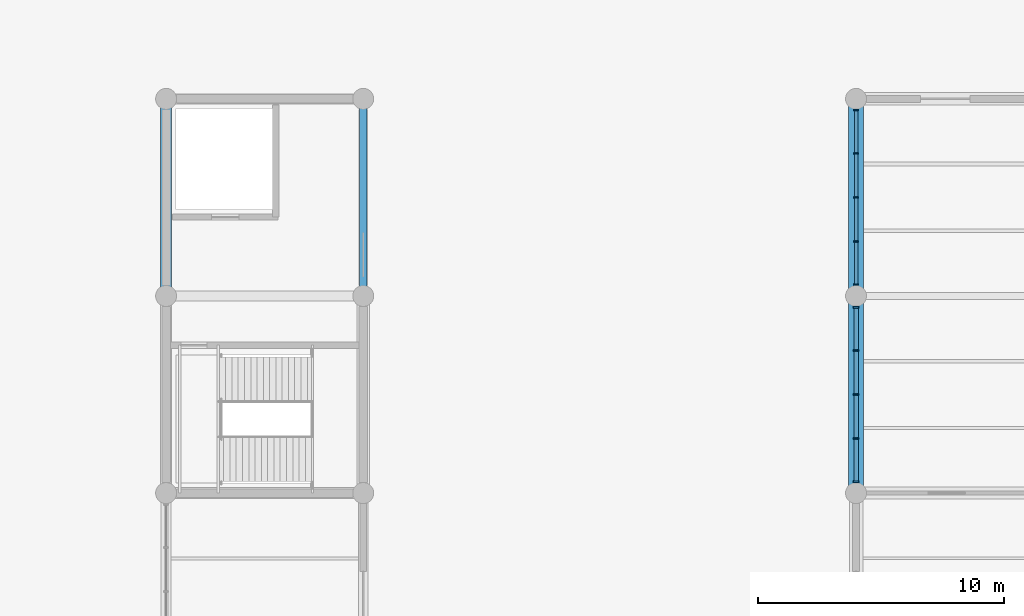
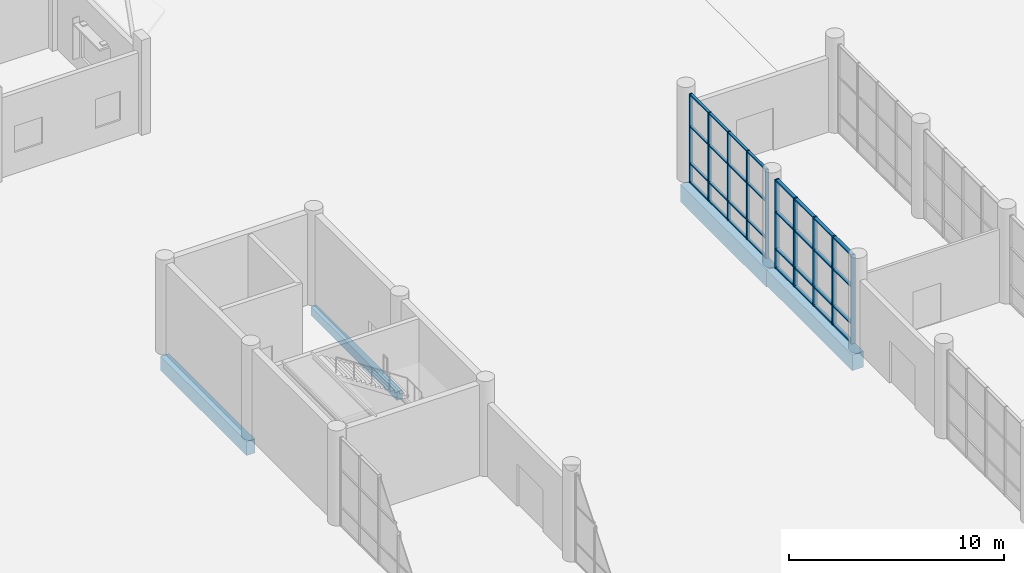
# One storey, part 30 of 123: 42 members, 4 beams, 2 elements without a shape of their own.
"""IFC4 building model written with IfcOpenShell, lengths in metres."""

from ifc_helpers import new_model, si_unit, direction, frame, origin, origin_2d, place, context, subcontext, project, spatial, rectangle, extrude, material, material_profile, profile_set, type_object, element, aggregate, save


model = new_model("IFC4")

# Units and contexts
model_context = context("Model", 3, precision=1e-05, world=origin(), true_north=direction((0.0, 1.0)))
body_context = subcontext(model_context, "Body", "Model", "MODEL_VIEW")
ifc_project = project(units=[si_unit("LENGTHUNIT", "METRE"), si_unit("AREAUNIT", "SQUARE_METRE"), si_unit("VOLUMEUNIT", "CUBIC_METRE"), si_unit("PLANEANGLEUNIT", "RADIAN"), si_unit("MASSUNIT", "GRAM", prefix="KILO")], contexts=[model_context])

# Site, building, storey
site_placement = place(None, origin())
site = spatial("IfcSite", under=ifc_project, at=site_placement, CompositionType="ELEMENT")
building_placement = place(site_placement, origin())
building = spatial("IfcBuilding", under=site, at=building_placement, Name="Tenunan Teduh Sports Hall", CompositionType="ELEMENT")
storey_placement = place(building_placement, origin())
storey = spatial("IfcBuildingStorey", under=building, at=storey_placement, Name="L00", CompositionType="ELEMENT", Elevation=0.0)

# Beams
ifc_material_1 = material(Name="Concrete C40/50", Category="concrete")
ifc_material_profile_1 = material_profile(ifc_material_1, rectangle(XDim=0.300048828125, YDim=0.5, at=origin_2d()), Name="RCB 300x500")
ifc_profile_set_1 = profile_set([ifc_material_profile_1], Name="Concrete C40/50")
beam_type_1 = type_object("IfcBeamType", Name="BM-RC-300x500", PredefinedType="BEAM", material=ifc_profile_set_1)
beam_1_placement = place(storey_placement, frame((78.0, 62.0, -0.530029296875), z_axis=(0.0, 1.0, 0.0), x_axis=(-1.0, 0.0, 0.0)))
element("IfcBeam", 1, at=beam_1_placement, inside=storey, type_object=beam_type_1, Name="BM-B-01-L00-0824", PredefinedType="BEAM", context=body_context, shape_type="SweptSolid", body=[
    extrude(rectangle(XDim=0.300048828125, YDim=0.5, at=origin_2d()), origin(), (0.0, 0.0, 1.0), 8.0),
])
ifc_material_2 = material(Name="Concrete C40/50", Category="concrete")
ifc_material_profile_2 = material_profile(ifc_material_2, rectangle(XDim=0.449951171875, YDim=0.800048828125, at=origin_2d()), Name="RCB 450x800")
ifc_profile_set_2 = profile_set([ifc_material_profile_2], Name="Concrete C40/50")
beam_type_2 = type_object("IfcBeamType", Name="BM-RC-450x800", PredefinedType="BEAM", material=ifc_profile_set_2)
beam_2_placement = place(storey_placement, frame((70.0, 62.0, -0.679931640625), z_axis=(0.0, 1.0, 0.0), x_axis=(-1.0, 0.0, 0.0)))
element("IfcBeam", 2, at=beam_2_placement, inside=storey, type_object=beam_type_2, Name="BM-B-12-L00-0816", PredefinedType="BEAM", context=body_context, shape_type="SweptSolid", body=[
    extrude(rectangle(XDim=0.449951171875, YDim=0.800048828125, at=origin_2d()), origin(), (0.0, 0.0, 1.0), 8.0),
])
ifc_material_3 = material(Name="Concrete C40/50", Category="concrete")
ifc_material_profile_3 = material_profile(ifc_material_3, rectangle(XDim=0.60009765625, YDim=1.0, at=origin_2d()), Name="RCB 600x1000")
ifc_profile_set_3 = profile_set([ifc_material_profile_3], Name="Concrete C40/50")
beam_type_3 = type_object("IfcBeamType", Name="BM-RC-600x1000", PredefinedType="BEAM", material=ifc_profile_set_3)
beam_3_placement = place(storey_placement, frame((98.0, 62.0, -0.780029296875), z_axis=(0.0, 1.0, 0.0), x_axis=(-1.0, 0.0, 0.0)))
element("IfcBeam", 3, at=beam_3_placement, inside=storey, type_object=beam_type_3, Name="BM-B-18-L00-0831", PredefinedType="BEAM", context=body_context, shape_type="SweptSolid", body=[
    extrude(rectangle(XDim=0.60009765625, YDim=1.0, at=origin_2d()), origin(), (0.0, 0.0, 1.0), 8.0),
])
ifc_material_4 = material(Name="Concrete C40/50", Category="concrete")
ifc_material_profile_4 = material_profile(ifc_material_4, rectangle(XDim=0.60009765625, YDim=0.89990234375, at=origin_2d()), Name="RCB 600x900")
ifc_profile_set_4 = profile_set([ifc_material_profile_4], Name="Concrete C40/50")
beam_type_4 = type_object("IfcBeamType", Name="BM-RC-600x900", PredefinedType="BEAM", material=ifc_profile_set_4)
beam_4_placement = place(storey_placement, frame((98.0, 54.0, -0.72998046875), z_axis=(0.0, 1.0, 0.0), x_axis=(-1.0, 0.0, 0.0)))
element("IfcBeam", 4, at=beam_4_placement, inside=storey, type_object=beam_type_4, Name="BM-B-17-L00-0830", PredefinedType="BEAM", context=body_context, shape_type="SweptSolid", body=[
    extrude(rectangle(XDim=0.60009765625, YDim=0.89990234375, at=origin_2d()), origin(), (0.0, 0.0, 1.0), 8.0),
])

# Curtain wall, members
ifc_material_5 = material(Name="Anodised aluminium", Category="aluminium")
curtain_wall_type = type_object("IfcCurtainWallType", Name="CW-UNIT-1", PredefinedType="NOTDEFINED", material=ifc_material_5)
curtain_wall_1_placement = place(storey_placement, origin())
curtain_wall_1 = element("IfcCurtainWall", 5, at=curtain_wall_1_placement, inside=storey, type_object=curtain_wall_type, Name="CW-CWM-175-L00-158", PredefinedType="NOTDEFINED")
ifc_material_6 = material(Name="Anodised aluminium", Category="aluminium")
ifc_material_profile_5 = material_profile(ifc_material_6, rectangle(XDim=0.06494140625, YDim=0.175048828125, at=origin_2d()), Name="CWM 65x175")
ifc_profile_set_5 = profile_set([ifc_material_profile_5], Name="Anodised aluminium")
member_type_1 = type_object("IfcMemberType", Name="CWM-175", PredefinedType="MULLION", material=ifc_profile_set_5)
member_1_placement = place(storey_placement, frame((98.0, 62.45751953125, 0.0), z_axis=(0.0, 0.0, 1.0), x_axis=(0.0, 1.0, 0.0)))
member_1 = element("IfcMember", 6, at=member_1_placement, type_object=member_type_1, Name="CW-01 mullion 1", PredefinedType="MULLION", context=body_context, shape_type="SweptSolid", body=[
    extrude(rectangle(XDim=0.06494140625, YDim=0.175048828125, at=origin_2d()), origin(), (0.0, 0.0, 1.0), 5.0400390625),
])
member_2_placement = place(storey_placement, frame((98.0, 64.21240234375, 0.0), z_axis=(0.0, 0.0, 1.0), x_axis=(0.0, 1.0, 0.0)))
member_2 = element("IfcMember", 7, at=member_2_placement, type_object=member_type_1, Name="CW-01 mullion 2", PredefinedType="MULLION", context=body_context, shape_type="SweptSolid", body=[
    extrude(rectangle(XDim=0.06494140625, YDim=0.175048828125, at=origin_2d()), origin(), (0.0, 0.0, 1.0), 5.0400390625),
])
member_3_placement = place(storey_placement, frame((98.0, 66.0, 0.0), z_axis=(0.0, 0.0, 1.0), x_axis=(0.0, 1.0, 0.0)))
member_3 = element("IfcMember", 8, at=member_3_placement, type_object=member_type_1, Name="CW-01 mullion 3", PredefinedType="MULLION", context=body_context, shape_type="SweptSolid", body=[
    extrude(rectangle(XDim=0.06494140625, YDim=0.175048828125, at=origin_2d()), origin(), (0.0, 0.0, 1.0), 5.0400390625),
])
member_4_placement = place(storey_placement, frame((98.0, 67.78759765625, 0.0), z_axis=(0.0, 0.0, 1.0), x_axis=(0.0, 1.0, 0.0)))
member_4 = element("IfcMember", 9, at=member_4_placement, type_object=member_type_1, Name="CW-01 mullion 4", PredefinedType="MULLION", context=body_context, shape_type="SweptSolid", body=[
    extrude(rectangle(XDim=0.06494140625, YDim=0.175048828125, at=origin_2d()), origin(), (0.0, 0.0, 1.0), 5.0400390625),
])
member_5_placement = place(storey_placement, frame((98.0, 69.54248046875, 0.0), z_axis=(0.0, 0.0, 1.0), x_axis=(0.0, 1.0, 0.0)))
member_5 = element("IfcMember", 10, at=member_5_placement, type_object=member_type_1, Name="CW-01 mullion 5", PredefinedType="MULLION", context=body_context, shape_type="SweptSolid", body=[
    extrude(rectangle(XDim=0.06494140625, YDim=0.175048828125, at=origin_2d()), origin(), (0.0, 0.0, 1.0), 5.0400390625),
])

curtain_wall_2_placement = place(storey_placement, origin())
curtain_wall_2 = element("IfcCurtainWall", 11, at=curtain_wall_2_placement, inside=storey, type_object=curtain_wall_type, Name="CW-CWM-220-L00-157", PredefinedType="NOTDEFINED")
ifc_material_7 = material(Name="Anodised aluminium", Category="aluminium")
ifc_material_profile_6 = material_profile(ifc_material_7, rectangle(XDim=0.074951171875, YDim=0.219970703125, at=origin_2d()), Name="CWM 75x220")
ifc_profile_set_6 = profile_set([ifc_material_profile_6], Name="Anodised aluminium")
member_type_2 = type_object("IfcMemberType", Name="CWM-220", PredefinedType="MULLION", material=ifc_profile_set_6)
member_6_placement = place(storey_placement, frame((98.0, 54.46240234375, 0.0), z_axis=(0.0, 0.0, 1.0), x_axis=(0.0, 1.0, 0.0)))
member_6 = element("IfcMember", 12, at=member_6_placement, type_object=member_type_2, Name="CW-01 mullion 1", PredefinedType="MULLION", context=body_context, shape_type="SweptSolid", body=[
    extrude(rectangle(XDim=0.074951171875, YDim=0.219970703125, at=origin_2d()), origin(), (0.0, 0.0, 1.0), 5.0400390625),
])
member_7_placement = place(storey_placement, frame((98.0, 56.21240234375, 0.0), z_axis=(0.0, 0.0, 1.0), x_axis=(0.0, 1.0, 0.0)))
member_7 = element("IfcMember", 13, at=member_7_placement, type_object=member_type_2, Name="CW-01 mullion 2", PredefinedType="MULLION", context=body_context, shape_type="SweptSolid", body=[
    extrude(rectangle(XDim=0.074951171875, YDim=0.219970703125, at=origin_2d()), origin(), (0.0, 0.0, 1.0), 5.0400390625),
])
member_8_placement = place(storey_placement, frame((98.0, 58.0, 0.0), z_axis=(0.0, 0.0, 1.0), x_axis=(0.0, 1.0, 0.0)))
member_8 = element("IfcMember", 14, at=member_8_placement, type_object=member_type_2, Name="CW-01 mullion 3", PredefinedType="MULLION", context=body_context, shape_type="SweptSolid", body=[
    extrude(rectangle(XDim=0.074951171875, YDim=0.219970703125, at=origin_2d()), origin(), (0.0, 0.0, 1.0), 5.0400390625),
])
member_9_placement = place(storey_placement, frame((98.0, 59.78759765625, 0.0), z_axis=(0.0, 0.0, 1.0), x_axis=(0.0, 1.0, 0.0)))
member_9 = element("IfcMember", 15, at=member_9_placement, type_object=member_type_2, Name="CW-01 mullion 4", PredefinedType="MULLION", context=body_context, shape_type="SweptSolid", body=[
    extrude(rectangle(XDim=0.074951171875, YDim=0.219970703125, at=origin_2d()), origin(), (0.0, 0.0, 1.0), 5.0400390625),
])
member_10_placement = place(storey_placement, frame((98.0, 61.53759765625, 0.0), z_axis=(0.0, 0.0, 1.0), x_axis=(0.0, 1.0, 0.0)))
member_10 = element("IfcMember", 16, at=member_10_placement, type_object=member_type_2, Name="CW-01 mullion 5", PredefinedType="MULLION", context=body_context, shape_type="SweptSolid", body=[
    extrude(rectangle(XDim=0.074951171875, YDim=0.219970703125, at=origin_2d()), origin(), (0.0, 0.0, 1.0), 5.0400390625),
])

# Member
ifc_material_8 = material(Name="Anodised aluminium", Category="aluminium")
ifc_material_profile_7 = material_profile(ifc_material_8, rectangle(XDim=0.06494140625, YDim=0.139892578125, at=origin_2d()), Name="CWT 65x140")
ifc_profile_set_7 = profile_set([ifc_material_profile_7], Name="Anodised aluminium")
member_type_3 = type_object("IfcMemberType", Name="CWT-150", PredefinedType="USERDEFINED", material=ifc_profile_set_7)
member_11_placement = place(storey_placement, frame((98.0, 62.489990234375, 0.032470703125), z_axis=(0.0, 1.0, 0.0), x_axis=(0.0, 0.0, 1.0)))
member_11 = element("IfcMember", 17, at=member_11_placement, type_object=member_type_3, Name="CW-01 transom 1.1", ObjectType="TRANSOM", PredefinedType="USERDEFINED", context=body_context, shape_type="SweptSolid", body=[
    extrude(rectangle(XDim=0.06494140625, YDim=0.139892578125, at=origin_2d()), origin(), (0.0, 0.0, 1.0), 1.68994140625),
])

member_12_placement = place(storey_placement, frame((98.0, 62.489990234375, 1.10009765625), z_axis=(0.0, 1.0, 0.0), x_axis=(0.0, 0.0, 1.0)))
member_12 = element("IfcMember", 18, at=member_12_placement, type_object=member_type_3, Name="CW-01 transom 1.2", ObjectType="TRANSOM", PredefinedType="USERDEFINED", context=body_context, shape_type="SweptSolid", body=[
    extrude(rectangle(XDim=0.06494140625, YDim=0.139892578125, at=origin_2d()), origin(), (0.0, 0.0, 1.0), 1.68994140625),
])

member_13_placement = place(storey_placement, frame((98.0, 62.489990234375, 3.199951171875), z_axis=(0.0, 1.0, 0.0), x_axis=(0.0, 0.0, 1.0)))
member_13 = element("IfcMember", 19, at=member_13_placement, type_object=member_type_3, Name="CW-01 transom 1.3", ObjectType="TRANSOM", PredefinedType="USERDEFINED", context=body_context, shape_type="SweptSolid", body=[
    extrude(rectangle(XDim=0.06494140625, YDim=0.139892578125, at=origin_2d()), origin(), (0.0, 0.0, 1.0), 1.68994140625),
])

member_14_placement = place(storey_placement, frame((98.0, 62.489990234375, 5.007568359375), z_axis=(0.0, 1.0, 0.0), x_axis=(0.0, 0.0, 1.0)))
member_14 = element("IfcMember", 20, at=member_14_placement, type_object=member_type_3, Name="CW-01 transom 1.4", ObjectType="TRANSOM", PredefinedType="USERDEFINED", context=body_context, shape_type="SweptSolid", body=[
    extrude(rectangle(XDim=0.06494140625, YDim=0.139892578125, at=origin_2d()), origin(), (0.0, 0.0, 1.0), 1.68994140625),
])

member_15_placement = place(storey_placement, frame((98.0, 64.2451171875, 0.032470703125), z_axis=(0.0, 1.0, 0.0), x_axis=(0.0, 0.0, 1.0)))
member_15 = element("IfcMember", 21, at=member_15_placement, type_object=member_type_3, Name="CW-01 transom 2.1", ObjectType="TRANSOM", PredefinedType="USERDEFINED", context=body_context, shape_type="SweptSolid", body=[
    extrude(rectangle(XDim=0.06494140625, YDim=0.139892578125, at=origin_2d()), origin(), (0.0, 0.0, 1.0), 1.722412109375),
])

member_16_placement = place(storey_placement, frame((98.0, 64.2451171875, 1.10009765625), z_axis=(0.0, 1.0, 0.0), x_axis=(0.0, 0.0, 1.0)))
member_16 = element("IfcMember", 22, at=member_16_placement, type_object=member_type_3, Name="CW-01 transom 2.2", ObjectType="TRANSOM", PredefinedType="USERDEFINED", context=body_context, shape_type="SweptSolid", body=[
    extrude(rectangle(XDim=0.06494140625, YDim=0.139892578125, at=origin_2d()), origin(), (0.0, 0.0, 1.0), 1.722412109375),
])

member_17_placement = place(storey_placement, frame((98.0, 64.2451171875, 3.199951171875), z_axis=(0.0, 1.0, 0.0), x_axis=(0.0, 0.0, 1.0)))
member_17 = element("IfcMember", 23, at=member_17_placement, type_object=member_type_3, Name="CW-01 transom 2.3", ObjectType="TRANSOM", PredefinedType="USERDEFINED", context=body_context, shape_type="SweptSolid", body=[
    extrude(rectangle(XDim=0.06494140625, YDim=0.139892578125, at=origin_2d()), origin(), (0.0, 0.0, 1.0), 1.722412109375),
])

member_18_placement = place(storey_placement, frame((98.0, 64.2451171875, 5.007568359375), z_axis=(0.0, 1.0, 0.0), x_axis=(0.0, 0.0, 1.0)))
member_18 = element("IfcMember", 24, at=member_18_placement, type_object=member_type_3, Name="CW-01 transom 2.4", ObjectType="TRANSOM", PredefinedType="USERDEFINED", context=body_context, shape_type="SweptSolid", body=[
    extrude(rectangle(XDim=0.06494140625, YDim=0.139892578125, at=origin_2d()), origin(), (0.0, 0.0, 1.0), 1.722412109375),
])

member_19_placement = place(storey_placement, frame((98.0, 66.032470703125, 0.032470703125), z_axis=(0.0, 1.0, 0.0), x_axis=(0.0, 0.0, 1.0)))
member_19 = element("IfcMember", 25, at=member_19_placement, type_object=member_type_3, Name="CW-01 transom 3.1", ObjectType="TRANSOM", PredefinedType="USERDEFINED", context=body_context, shape_type="SweptSolid", body=[
    extrude(rectangle(XDim=0.06494140625, YDim=0.139892578125, at=origin_2d()), origin(), (0.0, 0.0, 1.0), 1.722412109375),
])

member_20_placement = place(storey_placement, frame((98.0, 66.032470703125, 1.10009765625), z_axis=(0.0, 1.0, 0.0), x_axis=(0.0, 0.0, 1.0)))
member_20 = element("IfcMember", 26, at=member_20_placement, type_object=member_type_3, Name="CW-01 transom 3.2", ObjectType="TRANSOM", PredefinedType="USERDEFINED", context=body_context, shape_type="SweptSolid", body=[
    extrude(rectangle(XDim=0.06494140625, YDim=0.139892578125, at=origin_2d()), origin(), (0.0, 0.0, 1.0), 1.722412109375),
])

member_21_placement = place(storey_placement, frame((98.0, 66.032470703125, 3.199951171875), z_axis=(0.0, 1.0, 0.0), x_axis=(0.0, 0.0, 1.0)))
member_21 = element("IfcMember", 27, at=member_21_placement, type_object=member_type_3, Name="CW-01 transom 3.3", ObjectType="TRANSOM", PredefinedType="USERDEFINED", context=body_context, shape_type="SweptSolid", body=[
    extrude(rectangle(XDim=0.06494140625, YDim=0.139892578125, at=origin_2d()), origin(), (0.0, 0.0, 1.0), 1.722412109375),
])

member_22_placement = place(storey_placement, frame((98.0, 66.032470703125, 5.007568359375), z_axis=(0.0, 1.0, 0.0), x_axis=(0.0, 0.0, 1.0)))
member_22 = element("IfcMember", 28, at=member_22_placement, type_object=member_type_3, Name="CW-01 transom 3.4", ObjectType="TRANSOM", PredefinedType="USERDEFINED", context=body_context, shape_type="SweptSolid", body=[
    extrude(rectangle(XDim=0.06494140625, YDim=0.139892578125, at=origin_2d()), origin(), (0.0, 0.0, 1.0), 1.722412109375),
])

member_23_placement = place(storey_placement, frame((98.0, 67.820068359375, 0.032470703125), z_axis=(0.0, 1.0, 0.0), x_axis=(0.0, 0.0, 1.0)))
member_23 = element("IfcMember", 29, at=member_23_placement, type_object=member_type_3, Name="CW-01 transom 4.1", ObjectType="TRANSOM", PredefinedType="USERDEFINED", context=body_context, shape_type="SweptSolid", body=[
    extrude(rectangle(XDim=0.06494140625, YDim=0.139892578125, at=origin_2d()), origin(), (0.0, 0.0, 1.0), 1.68994140625),
])

member_24_placement = place(storey_placement, frame((98.0, 67.820068359375, 1.10009765625), z_axis=(0.0, 1.0, 0.0), x_axis=(0.0, 0.0, 1.0)))
member_24 = element("IfcMember", 30, at=member_24_placement, type_object=member_type_3, Name="CW-01 transom 4.2", ObjectType="TRANSOM", PredefinedType="USERDEFINED", context=body_context, shape_type="SweptSolid", body=[
    extrude(rectangle(XDim=0.06494140625, YDim=0.139892578125, at=origin_2d()), origin(), (0.0, 0.0, 1.0), 1.68994140625),
])

member_25_placement = place(storey_placement, frame((98.0, 67.820068359375, 3.199951171875), z_axis=(0.0, 1.0, 0.0), x_axis=(0.0, 0.0, 1.0)))
member_25 = element("IfcMember", 31, at=member_25_placement, type_object=member_type_3, Name="CW-01 transom 4.3", ObjectType="TRANSOM", PredefinedType="USERDEFINED", context=body_context, shape_type="SweptSolid", body=[
    extrude(rectangle(XDim=0.06494140625, YDim=0.139892578125, at=origin_2d()), origin(), (0.0, 0.0, 1.0), 1.68994140625),
])

member_26_placement = place(storey_placement, frame((98.0, 67.820068359375, 5.007568359375), z_axis=(0.0, 1.0, 0.0), x_axis=(0.0, 0.0, 1.0)))
member_26 = element("IfcMember", 32, at=member_26_placement, type_object=member_type_3, Name="CW-01 transom 4.4", ObjectType="TRANSOM", PredefinedType="USERDEFINED", context=body_context, shape_type="SweptSolid", body=[
    extrude(rectangle(XDim=0.06494140625, YDim=0.139892578125, at=origin_2d()), origin(), (0.0, 0.0, 1.0), 1.68994140625),
])

aggregate(curtain_wall_1, [member_1, member_2, member_3, member_4, member_5, member_11, member_12, member_13, member_14, member_15, member_16, member_17, member_18, member_19, member_20, member_21, member_22, member_23, member_24, member_25, member_26])

ifc_material_9 = material(Name="Anodised aluminium", Category="aluminium")
ifc_material_profile_8 = material_profile(ifc_material_9, rectangle(XDim=0.074951171875, YDim=0.179931640625, at=origin_2d()), Name="CWT 75x180")
ifc_profile_set_8 = profile_set([ifc_material_profile_8], Name="Anodised aluminium")
member_type_4 = type_object("IfcMemberType", Name="CWT-180", PredefinedType="USERDEFINED", material=ifc_profile_set_8)
member_27_placement = place(storey_placement, frame((98.0, 54.5, 0.03759765625), z_axis=(0.0, 1.0, 0.0), x_axis=(0.0, 0.0, 1.0)))
member_27 = element("IfcMember", 33, at=member_27_placement, type_object=member_type_4, Name="CW-01 transom 1.1", ObjectType="TRANSOM", PredefinedType="USERDEFINED", context=body_context, shape_type="SweptSolid", body=[
    extrude(rectangle(XDim=0.074951171875, YDim=0.179931640625, at=origin_2d()), origin(), (0.0, 0.0, 1.0), 1.675048828125),
])

member_28_placement = place(storey_placement, frame((98.0, 54.5, 1.10009765625), z_axis=(0.0, 1.0, 0.0), x_axis=(0.0, 0.0, 1.0)))
member_28 = element("IfcMember", 34, at=member_28_placement, type_object=member_type_4, Name="CW-01 transom 1.2", ObjectType="TRANSOM", PredefinedType="USERDEFINED", context=body_context, shape_type="SweptSolid", body=[
    extrude(rectangle(XDim=0.074951171875, YDim=0.179931640625, at=origin_2d()), origin(), (0.0, 0.0, 1.0), 1.675048828125),
])

member_29_placement = place(storey_placement, frame((98.0, 54.5, 3.199951171875), z_axis=(0.0, 1.0, 0.0), x_axis=(0.0, 0.0, 1.0)))
member_29 = element("IfcMember", 35, at=member_29_placement, type_object=member_type_4, Name="CW-01 transom 1.3", ObjectType="TRANSOM", PredefinedType="USERDEFINED", context=body_context, shape_type="SweptSolid", body=[
    extrude(rectangle(XDim=0.074951171875, YDim=0.179931640625, at=origin_2d()), origin(), (0.0, 0.0, 1.0), 1.675048828125),
])

member_30_placement = place(storey_placement, frame((98.0, 54.5, 5.00244140625), z_axis=(0.0, 1.0, 0.0), x_axis=(0.0, 0.0, 1.0)))
member_30 = element("IfcMember", 36, at=member_30_placement, type_object=member_type_4, Name="CW-01 transom 1.4", ObjectType="TRANSOM", PredefinedType="USERDEFINED", context=body_context, shape_type="SweptSolid", body=[
    extrude(rectangle(XDim=0.074951171875, YDim=0.179931640625, at=origin_2d()), origin(), (0.0, 0.0, 1.0), 1.675048828125),
])

member_31_placement = place(storey_placement, frame((98.0, 56.25, 0.03759765625), z_axis=(0.0, 1.0, 0.0), x_axis=(0.0, 0.0, 1.0)))
member_31 = element("IfcMember", 37, at=member_31_placement, type_object=member_type_4, Name="CW-01 transom 2.1", ObjectType="TRANSOM", PredefinedType="USERDEFINED", context=body_context, shape_type="SweptSolid", body=[
    extrude(rectangle(XDim=0.074951171875, YDim=0.179931640625, at=origin_2d()), origin(), (0.0, 0.0, 1.0), 1.71240234375),
])

member_32_placement = place(storey_placement, frame((98.0, 56.25, 1.10009765625), z_axis=(0.0, 1.0, 0.0), x_axis=(0.0, 0.0, 1.0)))
member_32 = element("IfcMember", 38, at=member_32_placement, type_object=member_type_4, Name="CW-01 transom 2.2", ObjectType="TRANSOM", PredefinedType="USERDEFINED", context=body_context, shape_type="SweptSolid", body=[
    extrude(rectangle(XDim=0.074951171875, YDim=0.179931640625, at=origin_2d()), origin(), (0.0, 0.0, 1.0), 1.71240234375),
])

member_33_placement = place(storey_placement, frame((98.0, 56.25, 3.199951171875), z_axis=(0.0, 1.0, 0.0), x_axis=(0.0, 0.0, 1.0)))
member_33 = element("IfcMember", 39, at=member_33_placement, type_object=member_type_4, Name="CW-01 transom 2.3", ObjectType="TRANSOM", PredefinedType="USERDEFINED", context=body_context, shape_type="SweptSolid", body=[
    extrude(rectangle(XDim=0.074951171875, YDim=0.179931640625, at=origin_2d()), origin(), (0.0, 0.0, 1.0), 1.71240234375),
])

member_34_placement = place(storey_placement, frame((98.0, 56.25, 5.00244140625), z_axis=(0.0, 1.0, 0.0), x_axis=(0.0, 0.0, 1.0)))
member_34 = element("IfcMember", 40, at=member_34_placement, type_object=member_type_4, Name="CW-01 transom 2.4", ObjectType="TRANSOM", PredefinedType="USERDEFINED", context=body_context, shape_type="SweptSolid", body=[
    extrude(rectangle(XDim=0.074951171875, YDim=0.179931640625, at=origin_2d()), origin(), (0.0, 0.0, 1.0), 1.71240234375),
])

member_35_placement = place(storey_placement, frame((98.0, 58.03759765625, 0.03759765625), z_axis=(0.0, 1.0, 0.0), x_axis=(0.0, 0.0, 1.0)))
member_35 = element("IfcMember", 41, at=member_35_placement, type_object=member_type_4, Name="CW-01 transom 3.1", ObjectType="TRANSOM", PredefinedType="USERDEFINED", context=body_context, shape_type="SweptSolid", body=[
    extrude(rectangle(XDim=0.074951171875, YDim=0.179931640625, at=origin_2d()), origin(), (0.0, 0.0, 1.0), 1.71240234375),
])

member_36_placement = place(storey_placement, frame((98.0, 58.03759765625, 1.10009765625), z_axis=(0.0, 1.0, 0.0), x_axis=(0.0, 0.0, 1.0)))
member_36 = element("IfcMember", 42, at=member_36_placement, type_object=member_type_4, Name="CW-01 transom 3.2", ObjectType="TRANSOM", PredefinedType="USERDEFINED", context=body_context, shape_type="SweptSolid", body=[
    extrude(rectangle(XDim=0.074951171875, YDim=0.179931640625, at=origin_2d()), origin(), (0.0, 0.0, 1.0), 1.71240234375),
])

member_37_placement = place(storey_placement, frame((98.0, 58.03759765625, 3.199951171875), z_axis=(0.0, 1.0, 0.0), x_axis=(0.0, 0.0, 1.0)))
member_37 = element("IfcMember", 43, at=member_37_placement, type_object=member_type_4, Name="CW-01 transom 3.3", ObjectType="TRANSOM", PredefinedType="USERDEFINED", context=body_context, shape_type="SweptSolid", body=[
    extrude(rectangle(XDim=0.074951171875, YDim=0.179931640625, at=origin_2d()), origin(), (0.0, 0.0, 1.0), 1.71240234375),
])

member_38_placement = place(storey_placement, frame((98.0, 58.03759765625, 5.00244140625), z_axis=(0.0, 1.0, 0.0), x_axis=(0.0, 0.0, 1.0)))
member_38 = element("IfcMember", 44, at=member_38_placement, type_object=member_type_4, Name="CW-01 transom 3.4", ObjectType="TRANSOM", PredefinedType="USERDEFINED", context=body_context, shape_type="SweptSolid", body=[
    extrude(rectangle(XDim=0.074951171875, YDim=0.179931640625, at=origin_2d()), origin(), (0.0, 0.0, 1.0), 1.71240234375),
])

member_39_placement = place(storey_placement, frame((98.0, 59.824951171875, 0.03759765625), z_axis=(0.0, 1.0, 0.0), x_axis=(0.0, 0.0, 1.0)))
member_39 = element("IfcMember", 45, at=member_39_placement, type_object=member_type_4, Name="CW-01 transom 4.1", ObjectType="TRANSOM", PredefinedType="USERDEFINED", context=body_context, shape_type="SweptSolid", body=[
    extrude(rectangle(XDim=0.074951171875, YDim=0.179931640625, at=origin_2d()), origin(), (0.0, 0.0, 1.0), 1.675048828125),
])

member_40_placement = place(storey_placement, frame((98.0, 59.824951171875, 1.10009765625), z_axis=(0.0, 1.0, 0.0), x_axis=(0.0, 0.0, 1.0)))
member_40 = element("IfcMember", 46, at=member_40_placement, type_object=member_type_4, Name="CW-01 transom 4.2", ObjectType="TRANSOM", PredefinedType="USERDEFINED", context=body_context, shape_type="SweptSolid", body=[
    extrude(rectangle(XDim=0.074951171875, YDim=0.179931640625, at=origin_2d()), origin(), (0.0, 0.0, 1.0), 1.675048828125),
])

member_41_placement = place(storey_placement, frame((98.0, 59.824951171875, 3.199951171875), z_axis=(0.0, 1.0, 0.0), x_axis=(0.0, 0.0, 1.0)))
member_41 = element("IfcMember", 47, at=member_41_placement, type_object=member_type_4, Name="CW-01 transom 4.3", ObjectType="TRANSOM", PredefinedType="USERDEFINED", context=body_context, shape_type="SweptSolid", body=[
    extrude(rectangle(XDim=0.074951171875, YDim=0.179931640625, at=origin_2d()), origin(), (0.0, 0.0, 1.0), 1.675048828125),
])

member_42_placement = place(storey_placement, frame((98.0, 59.824951171875, 5.00244140625), z_axis=(0.0, 1.0, 0.0), x_axis=(0.0, 0.0, 1.0)))
member_42 = element("IfcMember", 48, at=member_42_placement, type_object=member_type_4, Name="CW-01 transom 4.4", ObjectType="TRANSOM", PredefinedType="USERDEFINED", context=body_context, shape_type="SweptSolid", body=[
    extrude(rectangle(XDim=0.074951171875, YDim=0.179931640625, at=origin_2d()), origin(), (0.0, 0.0, 1.0), 1.675048828125),
])

aggregate(curtain_wall_2, [member_6, member_7, member_8, member_9, member_10, member_27, member_28, member_29, member_30, member_31, member_32, member_33, member_34, member_35, member_36, member_37, member_38, member_39, member_40, member_41, member_42])

save(model, "model.ifc")
